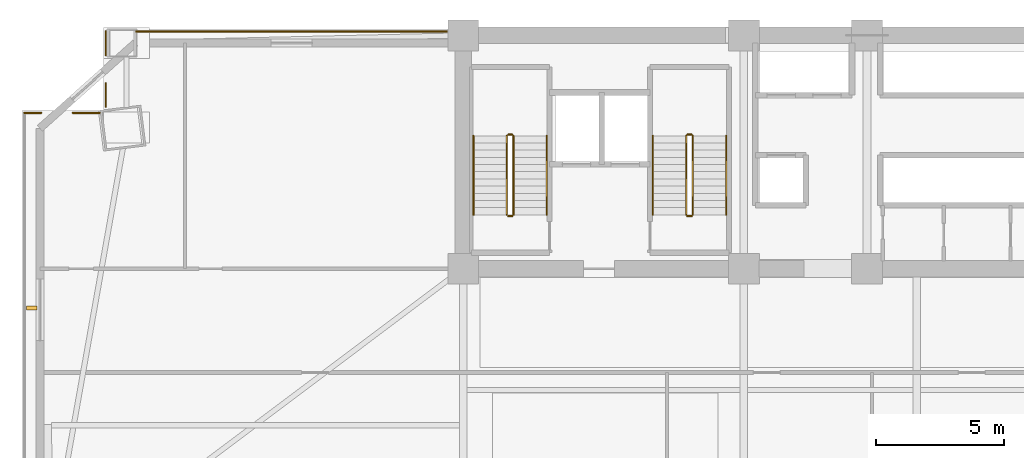
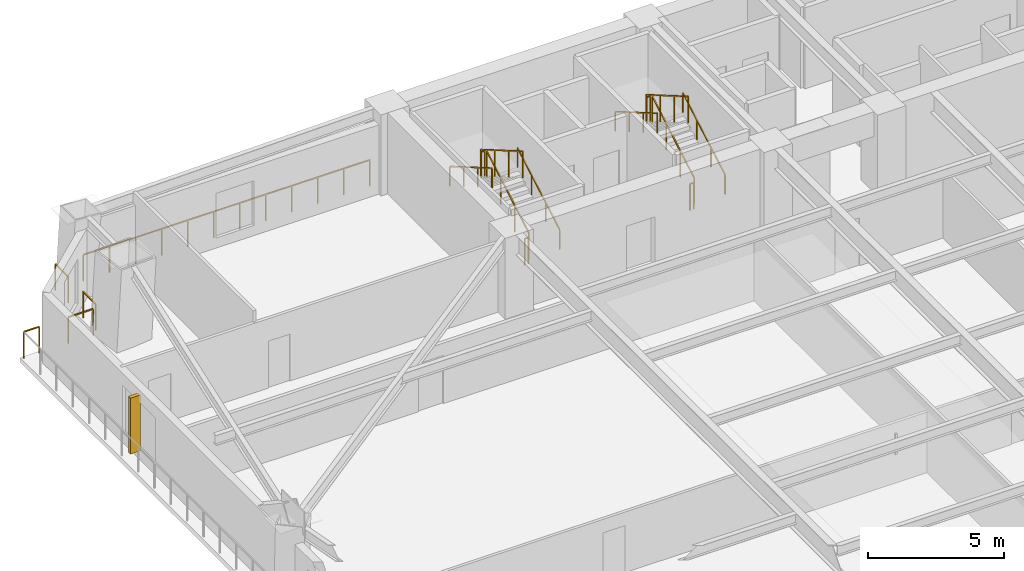
# One storey, part 15 of 17: 17 railings, 1 shading device.
"""IFC4 building model written with IfcOpenShell, lengths in metres."""

from ifc_helpers import new_model, si_unit, direction, frame, origin, origin_2d, place, context, subcontext, project, spatial, rectangle, extrude, source, transform, mapped, material, type_object, element, save


model = new_model("IFC4")

# Units and contexts
model_context = context("Model", 3, precision=1e-05, world=origin(), true_north=direction((0.0, 1.0)))
body_context = subcontext(model_context, "Body", "Model", "MODEL_VIEW")
ifc_project = project(units=[si_unit("LENGTHUNIT", "METRE"), si_unit("AREAUNIT", "SQUARE_METRE"), si_unit("VOLUMEUNIT", "CUBIC_METRE"), si_unit("PLANEANGLEUNIT", "RADIAN"), si_unit("MASSUNIT", "GRAM", prefix="KILO")], contexts=[model_context])

# Site, building, storey
site_placement = place(None, origin())
site = spatial("IfcSite", under=ifc_project, at=site_placement, CompositionType="ELEMENT")
building_placement = place(site_placement, origin())
building = spatial("IfcBuilding", under=site, at=building_placement, Name="Giltprow Tower", CompositionType="ELEMENT")
storey_placement = place(building_placement, frame((0.0, 0.0, 44.89990234375)))
storey = spatial("IfcBuildingStorey", under=building, at=storey_placement, Name="L11", CompositionType="ELEMENT", Elevation=44.89990234375)

# Railings
ifc_material = material(Name="Anodized bronze", Category="metal")
railing_type_1 = type_object("IfcRailingType", Name="RAIL-BALC-GUARD-1200", PredefinedType="BALUSTRADE", material=ifc_material)
railing_1_placement = place(storey_placement, frame((2.735107421875, 43.52587890625, 0.0)))
element("IfcRailing", 1, at=railing_1_placement, inside=storey, type_object=railing_type_1, Name="L11 Corner Apron Edge Balustrade 6", PredefinedType="BALUSTRADE", context=body_context, shape_type="SweptSolid", body=[
    extrude(rectangle(XDim=0.048095703125, YDim=0.048095703125, at=origin_2d()), frame((0.0, 0.0, 1.17578125), z_axis=(1.0, 0.0, 0.0), x_axis=(0.0, 1.0, 0.0)), (0.0, 0.0, 1.0), 0.656005859375),
    extrude(rectangle(XDim=0.0419921875, YDim=0.0419921875, at=origin_2d()), origin(), (0.0, 0.0, 1.0), 1.15185546875),
    extrude(rectangle(XDim=0.0419921875, YDim=0.0419921875, at=origin_2d()), frame((0.656005859375, 0.0, 0.0)), (0.0, 0.0, 1.0), 1.15185546875),
])
railing_2_placement = place(storey_placement, frame((4.623046875, 43.52587890625, 0.0)))
element("IfcRailing", 2, at=railing_2_placement, inside=storey, type_object=railing_type_1, Name="L11 Corner Apron Edge Balustrade 7", PredefinedType="BALUSTRADE", context=body_context, shape_type="SweptSolid", body=[
    extrude(rectangle(XDim=0.048095703125, YDim=0.048095703125, at=origin_2d()), frame((0.0, 0.0, 1.17578125), z_axis=(1.0, 0.0, 0.0), x_axis=(0.0, 1.0, 0.0)), (0.0, 0.0, 1.0), 1.051025390625),
    extrude(rectangle(XDim=0.0419921875, YDim=0.0419921875, at=origin_2d()), origin(), (0.0, 0.0, 1.0), 1.15185546875),
    extrude(rectangle(XDim=0.0419921875, YDim=0.0419921875, at=origin_2d()), frame((1.051025390625, 0.0, 0.0)), (0.0, 0.0, 1.0), 1.15185546875),
])
railing_3_placement = place(storey_placement, frame((5.908935546875, 43.760986328125, 0.0)))
element("IfcRailing", 3, at=railing_3_placement, inside=storey, type_object=railing_type_1, Name="L11 Corner Apron Edge Balustrade 8", PredefinedType="BALUSTRADE", context=body_context, shape_type="SweptSolid", body=[
    extrude(rectangle(XDim=0.048095703125, YDim=0.048095703125, at=origin_2d()), frame((0.0, 0.0, 1.17578125), z_axis=(0.0, 1.0, 0.0), x_axis=(-1.0, 0.0, 0.0)), (0.0, 0.0, 1.0), 0.9130859375),
    extrude(rectangle(XDim=0.0419921875, YDim=0.0419921875, at=origin_2d()), origin(), (0.0, 0.0, 1.0), 1.15185546875),
    extrude(rectangle(XDim=0.0419921875, YDim=0.0419921875, at=origin_2d()), frame((0.0, 0.9130859375, 0.0)), (0.0, 0.0, 1.0), 1.15185546875),
])
railing_4_placement = place(storey_placement, frame((5.908935546875, 45.77294921875, 0.0)))
element("IfcRailing", 4, at=railing_4_placement, inside=storey, type_object=railing_type_1, Name="L11 Corner Apron Edge Balustrade 9", PredefinedType="BALUSTRADE", context=body_context, shape_type="SweptSolid", body=[
    extrude(rectangle(XDim=0.048095703125, YDim=0.048095703125, at=origin_2d()), frame((0.0, 0.0, 1.17578125), z_axis=(0.0, 1.0, 0.0), x_axis=(-1.0, 0.0, 0.0)), (0.0, 0.0, 1.0), 0.927001953125),
    extrude(rectangle(XDim=0.0419921875, YDim=0.0419921875, at=origin_2d()), origin(), (0.0, 0.0, 1.0), 1.15185546875),
    extrude(rectangle(XDim=0.0419921875, YDim=0.0419921875, at=origin_2d()), frame((0.0, 0.927001953125, 0.0)), (0.0, 0.0, 1.0), 1.15185546875),
])
railing_5_placement = place(storey_placement, frame((7.093994140625, 46.699951171875, 0.0)))
element("IfcRailing", 5, at=railing_5_placement, inside=storey, type_object=railing_type_1, Name="L11 Corner Apron Edge Balustrade 10", PredefinedType="BALUSTRADE", context=body_context, shape_type="SweptSolid", body=[
    extrude(rectangle(XDim=0.048095703125, YDim=0.048095703125, at=origin_2d()), frame((0.0, 0.0, 1.17578125), z_axis=(1.0, 0.0, 0.0), x_axis=(0.0, 1.0, 0.0)), (0.0, 0.0, 1.0), 12.12109375),
    extrude(rectangle(XDim=0.0419921875, YDim=0.0419921875, at=origin_2d()), origin(), (0.0, 0.0, 1.0), 1.15185546875),
    extrude(rectangle(XDim=0.0419921875, YDim=0.0419921875, at=origin_2d()), frame((1.101806640625, 0.0, 0.0)), (0.0, 0.0, 1.0), 1.15185546875),
    extrude(rectangle(XDim=0.0419921875, YDim=0.0419921875, at=origin_2d()), frame((2.203857421875, 0.0, 0.0)), (0.0, 0.0, 1.0), 1.15185546875),
    extrude(rectangle(XDim=0.0419921875, YDim=0.0419921875, at=origin_2d()), frame((3.3056640625, 0.0, 0.0)), (0.0, 0.0, 1.0), 1.15185546875),
    extrude(rectangle(XDim=0.0419921875, YDim=0.0419921875, at=origin_2d()), frame((4.40771484375, 0.0, 0.0)), (0.0, 0.0, 1.0), 1.15185546875),
    extrude(rectangle(XDim=0.0419921875, YDim=0.0419921875, at=origin_2d()), frame((5.509521484375, 0.0, 0.0)), (0.0, 0.0, 1.0), 1.15185546875),
    extrude(rectangle(XDim=0.0419921875, YDim=0.0419921875, at=origin_2d()), frame((6.611572265625, 0.0, 0.0)), (0.0, 0.0, 1.0), 1.15185546875),
    extrude(rectangle(XDim=0.0419921875, YDim=0.0419921875, at=origin_2d()), frame((7.71337890625, 0.0, 0.0)), (0.0, 0.0, 1.0), 1.15185546875),
    extrude(rectangle(XDim=0.0419921875, YDim=0.0419921875, at=origin_2d()), frame((8.8154296875, 0.0, 0.0)), (0.0, 0.0, 1.0), 1.15185546875),
    extrude(rectangle(XDim=0.0419921875, YDim=0.0419921875, at=origin_2d()), frame((9.917236328125, 0.0, 0.0)), (0.0, 0.0, 1.0), 1.15185546875),
    extrude(rectangle(XDim=0.0419921875, YDim=0.0419921875, at=origin_2d()), frame((11.019287109375, 0.0, 0.0)), (0.0, 0.0, 1.0), 1.15185546875),
    extrude(rectangle(XDim=0.0419921875, YDim=0.0419921875, at=origin_2d()), frame((12.12109375, 0.0, 0.0)), (0.0, 0.0, 1.0), 1.15185546875),
])
railing_type_2 = type_object("IfcRailingType", Name="RAIL-STAIR-GUARD-1200", PredefinedType="GUARDRAIL", material=ifc_material)
railing_6_placement = place(storey_placement, frame((21.81005859375, 39.550048828125, 0.16259765625)))
element("IfcRailing", 6, at=railing_6_placement, inside=storey, type_object=railing_type_2, Name="L11 ST-1 stair guard 1", PredefinedType="GUARDRAIL", context=body_context, shape_type="SweptSolid", body=[
    extrude(rectangle(XDim=0.048095703125, YDim=0.048095703125, at=origin_2d()), frame((0.0, 0.0, 1.17578125), z_axis=(0.0, 0.864873446163, 0.501989962173), x_axis=(-1.0, 0.0, 0.0)), (0.0, 0.0, 1.0), 3.56103515625),
    extrude(rectangle(XDim=0.0419921875, YDim=0.0419921875, at=origin_2d()), origin(), (0.0, 0.0, 1.0), 1.15185546875),
    extrude(rectangle(XDim=0.0419921875, YDim=0.0419921875, at=origin_2d()), frame((0.0, 1.026611328125, 0.595947265625)), (0.0, 0.0, 1.0), 1.15185546875),
    extrude(rectangle(XDim=0.0419921875, YDim=0.0419921875, at=origin_2d()), frame((0.0, 2.05322265625, 1.191650390625)), (0.0, 0.0, 1.0), 1.15185546875),
    extrude(rectangle(XDim=0.0419921875, YDim=0.0419921875, at=origin_2d()), frame((0.0, 3.079833984375, 1.78759765625)), (0.0, 0.0, 1.0), 1.15185546875),
])
railing_7_placement = place(storey_placement, frame((21.760009765625, 42.679931640625, 1.9501953125)))
element("IfcRailing", 7, at=railing_7_placement, inside=storey, type_object=railing_type_2, Name="L11 ST-1 stair guard 2", PredefinedType="GUARDRAIL", context=body_context, shape_type="SweptSolid", body=[
    extrude(rectangle(XDim=0.048095703125, YDim=0.048095703125, at=origin_2d()), frame((0.0, 0.0, 1.17578125), z_axis=(-1.0, 0.0, 0.0), x_axis=(0.0, -1.0, 0.0)), (0.0, 0.0, 1.0), 0.159912109375),
    extrude(rectangle(XDim=0.0419921875, YDim=0.0419921875, at=origin_2d()), origin(), (0.0, 0.0, 1.0), 1.15185546875),
    extrude(rectangle(XDim=0.0419921875, YDim=0.0419921875, at=origin_2d()), frame((-0.159912109375, 0.0, 0.0)), (0.0, 0.0, 1.0), 1.15185546875),
])
railing_8_placement = place(storey_placement, frame((21.550048828125, 42.6298828125, 2.112548828125)))
element("IfcRailing", 8, at=railing_8_placement, inside=storey, type_object=railing_type_2, Name="L11 ST-1 stair guard 3", PredefinedType="GUARDRAIL", context=body_context, shape_type="SweptSolid", body=[
    extrude(rectangle(XDim=0.048095703125, YDim=0.048095703125, at=origin_2d()), frame((0.0, 0.0, 1.17578125), z_axis=(0.0, -0.864873446163, 0.501989962173), x_axis=(1.0, 0.0, 0.0)), (0.0, 0.0, 1.0), 3.56103515625),
    extrude(rectangle(XDim=0.0419921875, YDim=0.0419921875, at=origin_2d()), origin(), (0.0, 0.0, 1.0), 1.15185546875),
    extrude(rectangle(XDim=0.0419921875, YDim=0.0419921875, at=origin_2d()), frame((0.0, -1.026611328125, 0.595947265625)), (0.0, 0.0, 1.0), 1.15185546875),
    extrude(rectangle(XDim=0.0419921875, YDim=0.0419921875, at=origin_2d()), frame((0.0, -2.05322265625, 1.191650390625)), (0.0, 0.0, 1.0), 1.15185546875),
    extrude(rectangle(XDim=0.0419921875, YDim=0.0419921875, at=origin_2d()), frame((0.0, -3.079833984375, 1.78759765625)), (0.0, 0.0, 1.0), 1.15185546875),
])
railing_9_placement = place(storey_placement, frame((21.760009765625, 39.5, 0.0)))
element("IfcRailing", 9, at=railing_9_placement, inside=storey, type_object=railing_type_2, Name="L11 ST-1 stair guard 4", PredefinedType="GUARDRAIL", context=body_context, shape_type="SweptSolid", body=[
    extrude(rectangle(XDim=0.048095703125, YDim=0.048095703125, at=origin_2d()), frame((0.0, 0.0, 1.17578125), z_axis=(-1.0, 0.0, 0.0), x_axis=(0.0, -1.0, 0.0)), (0.0, 0.0, 1.0), 0.159912109375),
    extrude(rectangle(XDim=0.0419921875, YDim=0.0419921875, at=origin_2d()), origin(), (0.0, 0.0, 1.0), 1.15185546875),
    extrude(rectangle(XDim=0.0419921875, YDim=0.0419921875, at=origin_2d()), frame((-0.159912109375, 0.0, 0.0)), (0.0, 0.0, 1.0), 1.15185546875),
])
railing_10_placement = place(storey_placement, frame((28.81005859375, 39.550048828125, 0.16259765625)))
element("IfcRailing", 10, at=railing_10_placement, inside=storey, type_object=railing_type_2, Name="L11 ST-2 stair guard 1", PredefinedType="GUARDRAIL", context=body_context, shape_type="SweptSolid", body=[
    extrude(rectangle(XDim=0.048095703125, YDim=0.048095703125, at=origin_2d()), frame((0.0, 0.0, 1.17578125), z_axis=(0.0, 0.864873446163, 0.501989962173), x_axis=(-1.0, 0.0, 0.0)), (0.0, 0.0, 1.0), 3.56103515625),
    extrude(rectangle(XDim=0.0419921875, YDim=0.0419921875, at=origin_2d()), origin(), (0.0, 0.0, 1.0), 1.15185546875),
    extrude(rectangle(XDim=0.0419921875, YDim=0.0419921875, at=origin_2d()), frame((0.0, 1.026611328125, 0.595947265625)), (0.0, 0.0, 1.0), 1.15185546875),
    extrude(rectangle(XDim=0.0419921875, YDim=0.0419921875, at=origin_2d()), frame((0.0, 2.05322265625, 1.191650390625)), (0.0, 0.0, 1.0), 1.15185546875),
    extrude(rectangle(XDim=0.0419921875, YDim=0.0419921875, at=origin_2d()), frame((0.0, 3.079833984375, 1.78759765625)), (0.0, 0.0, 1.0), 1.15185546875),
])
railing_11_placement = place(storey_placement, frame((28.760009765625, 42.679931640625, 1.9501953125)))
element("IfcRailing", 11, at=railing_11_placement, inside=storey, type_object=railing_type_2, Name="L11 ST-2 stair guard 2", PredefinedType="GUARDRAIL", context=body_context, shape_type="SweptSolid", body=[
    extrude(rectangle(XDim=0.048095703125, YDim=0.048095703125, at=origin_2d()), frame((0.0, 0.0, 1.17578125), z_axis=(-1.0, 0.0, 0.0), x_axis=(0.0, -1.0, 0.0)), (0.0, 0.0, 1.0), 0.159912109375),
    extrude(rectangle(XDim=0.0419921875, YDim=0.0419921875, at=origin_2d()), origin(), (0.0, 0.0, 1.0), 1.15185546875),
    extrude(rectangle(XDim=0.0419921875, YDim=0.0419921875, at=origin_2d()), frame((-0.159912109375, 0.0, 0.0)), (0.0, 0.0, 1.0), 1.15185546875),
])
railing_12_placement = place(storey_placement, frame((28.550048828125, 42.6298828125, 2.112548828125)))
element("IfcRailing", 12, at=railing_12_placement, inside=storey, type_object=railing_type_2, Name="L11 ST-2 stair guard 3", PredefinedType="GUARDRAIL", context=body_context, shape_type="SweptSolid", body=[
    extrude(rectangle(XDim=0.048095703125, YDim=0.048095703125, at=origin_2d()), frame((0.0, 0.0, 1.17578125), z_axis=(0.0, -0.864873446163, 0.501989962173), x_axis=(1.0, 0.0, 0.0)), (0.0, 0.0, 1.0), 3.56103515625),
    extrude(rectangle(XDim=0.0419921875, YDim=0.0419921875, at=origin_2d()), origin(), (0.0, 0.0, 1.0), 1.15185546875),
    extrude(rectangle(XDim=0.0419921875, YDim=0.0419921875, at=origin_2d()), frame((0.0, -1.026611328125, 0.595947265625)), (0.0, 0.0, 1.0), 1.15185546875),
    extrude(rectangle(XDim=0.0419921875, YDim=0.0419921875, at=origin_2d()), frame((0.0, -2.05322265625, 1.191650390625)), (0.0, 0.0, 1.0), 1.15185546875),
    extrude(rectangle(XDim=0.0419921875, YDim=0.0419921875, at=origin_2d()), frame((0.0, -3.079833984375, 1.78759765625)), (0.0, 0.0, 1.0), 1.15185546875),
])
railing_13_placement = place(storey_placement, frame((28.760009765625, 39.5, 0.0)))
element("IfcRailing", 13, at=railing_13_placement, inside=storey, type_object=railing_type_2, Name="L11 ST-2 stair guard 4", PredefinedType="GUARDRAIL", context=body_context, shape_type="SweptSolid", body=[
    extrude(rectangle(XDim=0.048095703125, YDim=0.048095703125, at=origin_2d()), frame((0.0, 0.0, 1.17578125), z_axis=(-1.0, 0.0, 0.0), x_axis=(0.0, -1.0, 0.0)), (0.0, 0.0, 1.0), 0.159912109375),
    extrude(rectangle(XDim=0.0419921875, YDim=0.0419921875, at=origin_2d()), origin(), (0.0, 0.0, 1.0), 1.15185546875),
    extrude(rectangle(XDim=0.0419921875, YDim=0.0419921875, at=origin_2d()), frame((-0.159912109375, 0.0, 0.0)), (0.0, 0.0, 1.0), 1.15185546875),
])
railing_type_3 = type_object("IfcRailingType", Name="RAIL-STAIR-HAND-900", PredefinedType="HANDRAIL", material=ifc_material)
railing_14_placement = place(storey_placement, frame((23.110107421875, 39.550048828125, 0.16259765625)))
element("IfcRailing", 14, at=railing_14_placement, inside=storey, type_object=railing_type_3, Name="L11 ST-1 stair handrail 1", PredefinedType="HANDRAIL", context=body_context, shape_type="SweptSolid", body=[
    extrude(rectangle(XDim=0.048095703125, YDim=0.048095703125, at=origin_2d()), frame((0.0, 0.0, 0.8759765625), z_axis=(0.0, 0.864873446163, 0.501989962173), x_axis=(-1.0, 0.0, 0.0)), (0.0, 0.0, 1.0), 3.56103515625),
    extrude(rectangle(XDim=0.0419921875, YDim=0.0419921875, at=origin_2d()), origin(), (0.0, 0.0, 1.0), 0.851806640625),
    extrude(rectangle(XDim=0.0419921875, YDim=0.0419921875, at=origin_2d()), frame((0.0, 1.026611328125, 0.595947265625)), (0.0, 0.0, 1.0), 0.851806640625),
    extrude(rectangle(XDim=0.0419921875, YDim=0.0419921875, at=origin_2d()), frame((0.0, 2.05322265625, 1.191650390625)), (0.0, 0.0, 1.0), 0.851806640625),
    extrude(rectangle(XDim=0.0419921875, YDim=0.0419921875, at=origin_2d()), frame((0.0, 3.079833984375, 1.78759765625)), (0.0, 0.0, 1.0), 0.851806640625),
])
railing_15_placement = place(storey_placement, frame((20.25, 42.6298828125, 2.112548828125)))
element("IfcRailing", 15, at=railing_15_placement, inside=storey, type_object=railing_type_3, Name="L11 ST-1 stair handrail 2", PredefinedType="HANDRAIL", context=body_context, shape_type="SweptSolid", body=[
    extrude(rectangle(XDim=0.048095703125, YDim=0.048095703125, at=origin_2d()), frame((0.0, 0.0, 0.8759765625), z_axis=(0.0, -0.864873446163, 0.501989962173), x_axis=(1.0, 0.0, 0.0)), (0.0, 0.0, 1.0), 3.56103515625),
    extrude(rectangle(XDim=0.0419921875, YDim=0.0419921875, at=origin_2d()), origin(), (0.0, 0.0, 1.0), 0.851806640625),
    extrude(rectangle(XDim=0.0419921875, YDim=0.0419921875, at=origin_2d()), frame((0.0, -1.026611328125, 0.595947265625)), (0.0, 0.0, 1.0), 0.851806640625),
    extrude(rectangle(XDim=0.0419921875, YDim=0.0419921875, at=origin_2d()), frame((0.0, -2.05322265625, 1.191650390625)), (0.0, 0.0, 1.0), 0.851806640625),
    extrude(rectangle(XDim=0.0419921875, YDim=0.0419921875, at=origin_2d()), frame((0.0, -3.079833984375, 1.78759765625)), (0.0, 0.0, 1.0), 0.851806640625),
])
railing_16_placement = place(storey_placement, frame((30.110107421875, 39.550048828125, 0.16259765625)))
element("IfcRailing", 16, at=railing_16_placement, inside=storey, type_object=railing_type_3, Name="L11 ST-2 stair handrail 1", PredefinedType="HANDRAIL", context=body_context, shape_type="SweptSolid", body=[
    extrude(rectangle(XDim=0.048095703125, YDim=0.048095703125, at=origin_2d()), frame((0.0, 0.0, 0.8759765625), z_axis=(0.0, 0.864873446163, 0.501989962173), x_axis=(-1.0, 0.0, 0.0)), (0.0, 0.0, 1.0), 3.56103515625),
    extrude(rectangle(XDim=0.0419921875, YDim=0.0419921875, at=origin_2d()), origin(), (0.0, 0.0, 1.0), 0.851806640625),
    extrude(rectangle(XDim=0.0419921875, YDim=0.0419921875, at=origin_2d()), frame((0.0, 1.026611328125, 0.595947265625)), (0.0, 0.0, 1.0), 0.851806640625),
    extrude(rectangle(XDim=0.0419921875, YDim=0.0419921875, at=origin_2d()), frame((0.0, 2.05322265625, 1.191650390625)), (0.0, 0.0, 1.0), 0.851806640625),
    extrude(rectangle(XDim=0.0419921875, YDim=0.0419921875, at=origin_2d()), frame((0.0, 3.079833984375, 1.78759765625)), (0.0, 0.0, 1.0), 0.851806640625),
])
railing_17_placement = place(storey_placement, frame((27.25, 42.6298828125, 2.112548828125)))
element("IfcRailing", 17, at=railing_17_placement, inside=storey, type_object=railing_type_3, Name="L11 ST-2 stair handrail 2", PredefinedType="HANDRAIL", context=body_context, shape_type="SweptSolid", body=[
    extrude(rectangle(XDim=0.048095703125, YDim=0.048095703125, at=origin_2d()), frame((0.0, 0.0, 0.8759765625), z_axis=(0.0, -0.864873446163, 0.501989962173), x_axis=(1.0, 0.0, 0.0)), (0.0, 0.0, 1.0), 3.56103515625),
    extrude(rectangle(XDim=0.0419921875, YDim=0.0419921875, at=origin_2d()), origin(), (0.0, 0.0, 1.0), 0.851806640625),
    extrude(rectangle(XDim=0.0419921875, YDim=0.0419921875, at=origin_2d()), frame((0.0, -1.026611328125, 0.595947265625)), (0.0, 0.0, 1.0), 0.851806640625),
    extrude(rectangle(XDim=0.0419921875, YDim=0.0419921875, at=origin_2d()), frame((0.0, -2.05322265625, 1.191650390625)), (0.0, 0.0, 1.0), 0.851806640625),
    extrude(rectangle(XDim=0.0419921875, YDim=0.0419921875, at=origin_2d()), frame((0.0, -3.079833984375, 1.78759765625)), (0.0, 0.0, 1.0), 0.851806640625),
])

# Shading device
shading_device_type = type_object("IfcShadingDeviceType", Name="SHD-FIN-420", PredefinedType="USERDEFINED", material=ifc_material)
shared_shape = source(origin(), body_context, "Body", "SweptSolid", [
    extrude(rectangle(XDim=0.419921875, YDim=0.159912109375, at=origin_2d()), origin(), (0.0, 0.0, 1.0), 2.5),
])
shading_device_placement = place(storey_placement, frame((3.014892578125, 35.906982421875, 0.35009765625), z_axis=(0.0, 0.0, 1.0), x_axis=(1.0, 0.0, 0.0)))
element("IfcShadingDevice", 18, at=shading_device_placement, inside=storey, type_object=shading_device_type, Name="L11 W Bronze Vertical Fin 2-1", ObjectType="FIN", PredefinedType="USERDEFINED", context=body_context, shape_type="MappedRepresentation", body=[
    mapped(shared_shape, transform((0.0, 0.0, 0.0), x_axis=(1.0, 0.0, 0.0), y_axis=(0.0, 1.0, 0.0), z_axis=(0.0, 0.0, 1.0), scale=1.0)),
])

save(model, "model.ifc")
